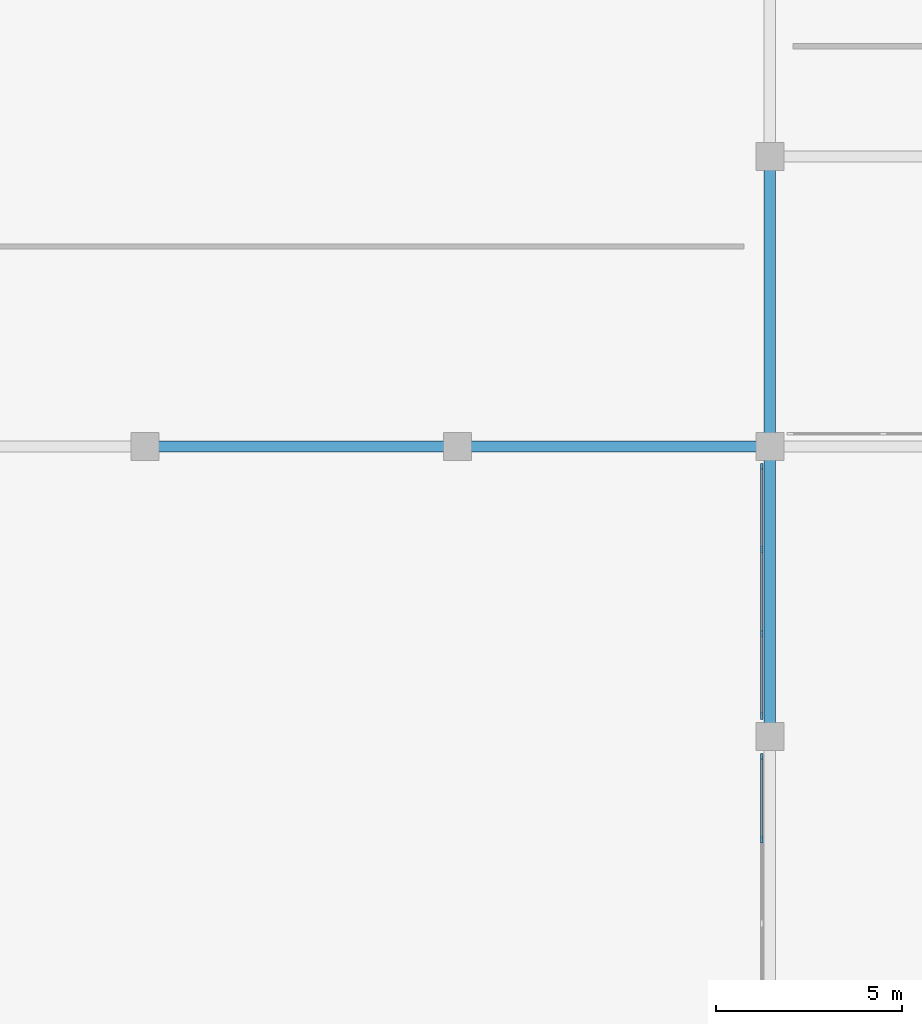
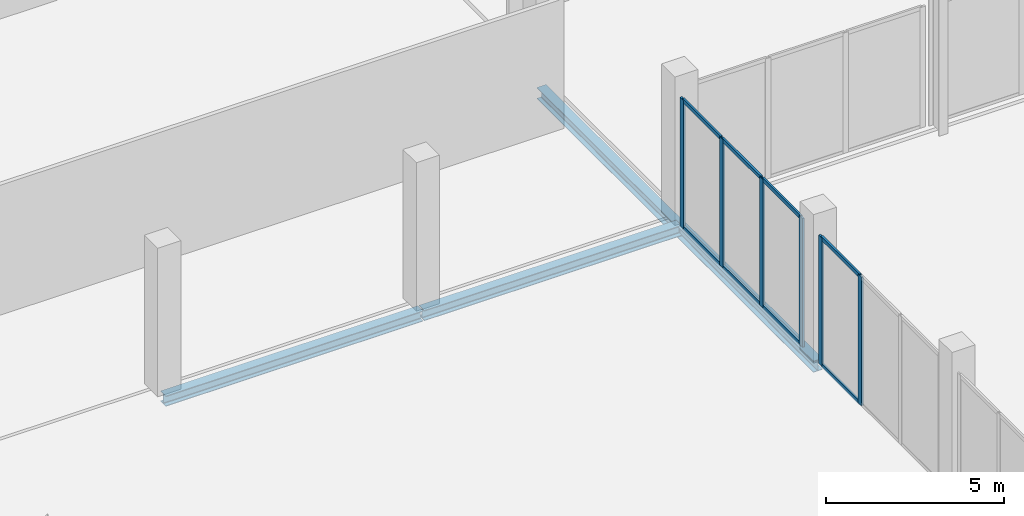
# One storey, part 29 of 80: 14 members, 4 beams, 2 elements without a shape of their own.
"""IFC4 building model written with IfcOpenShell, lengths in metres."""

from ifc_helpers import new_model, si_unit, direction, frame, origin, origin_2d, place, context, subcontext, project, spatial, rectangle, i_section, extrude, material, material_profile, profile_set, type_object, element, aggregate, save


model = new_model("IFC4")

# Units and contexts
model_context = context("Model", 3, precision=1e-05, world=origin(), true_north=direction((0.0, 1.0)))
body_context = subcontext(model_context, "Body", "Model", "MODEL_VIEW")
ifc_project = project(units=[si_unit("LENGTHUNIT", "METRE"), si_unit("AREAUNIT", "SQUARE_METRE"), si_unit("VOLUMEUNIT", "CUBIC_METRE"), si_unit("PLANEANGLEUNIT", "RADIAN"), si_unit("MASSUNIT", "GRAM", prefix="KILO")], contexts=[model_context])

# Site, building, storey
site_placement = place(None, origin())
site = spatial("IfcSite", under=ifc_project, at=site_placement, CompositionType="ELEMENT")
building_placement = place(site_placement, origin())
building = spatial("IfcBuilding", under=site, at=building_placement, Name="Nabrawat Pavilion Hospital", CompositionType="ELEMENT")
storey_placement = place(building_placement, origin())
storey = spatial("IfcBuildingStorey", under=building, at=storey_placement, Name="L00", CompositionType="ELEMENT", Elevation=0.0)

# Curtain wall, members
ifc_material_1 = material(Name="Anodised Aluminium", Category="aluminium")
curtain_wall_type = type_object("IfcCurtainWallType", Name="Healing Garden Cloister Curtain Wall", PredefinedType="USERDEFINED", material=ifc_material_1)
curtain_wall_1_placement = place(storey_placement, origin())
curtain_wall_1 = element("IfcCurtainWall", 1, at=curtain_wall_1_placement, inside=storey, type_object=curtain_wall_type, Name="L00 Healing Garden Cloister Curtain Wall 005", ObjectType="CURTAIN WALL", PredefinedType="USERDEFINED")
ifc_material_profile_1 = material_profile(ifc_material_1, rectangle(XDim=0.06494140625, YDim=0.179931640625, at=origin_2d()), Name="CWM 65x180")
ifc_profile_set_1 = profile_set([ifc_material_profile_1], Name="Anodised Aluminium")
member_type_1 = type_object("IfcMemberType", Name="Healing Garden Cloister Curtain Wall Mullion CWM 65x180", PredefinedType="MULLION", material=ifc_profile_set_1)
member_1_placement = place(storey_placement, frame((58.580078125, 75.228271484375, 0.0), z_axis=(0.0, 0.0, 1.0), x_axis=(-1.0, 0.0, 0.0)))
member_1 = element("IfcMember", 2, at=member_1_placement, type_object=member_type_1, Name="CW-CLN-01 mullion 3", PredefinedType="MULLION", context=body_context, shape_type="SweptSolid", body=[
    extrude(rectangle(XDim=0.06494140625, YDim=0.179931640625, at=origin_2d()), origin(), (0.0, 0.0, 1.0), 4.419921875),
])
member_2_placement = place(storey_placement, frame((58.580078125, 77.452392578125, 0.0), z_axis=(0.0, 0.0, 1.0), x_axis=(-1.0, 0.0, 0.0)))
member_2 = element("IfcMember", 3, at=member_2_placement, type_object=member_type_1, Name="CW-CLN-01 mullion 4", PredefinedType="MULLION", context=body_context, shape_type="SweptSolid", body=[
    extrude(rectangle(XDim=0.06494140625, YDim=0.179931640625, at=origin_2d()), origin(), (0.0, 0.0, 1.0), 4.419921875),
])

curtain_wall_2_placement = place(storey_placement, origin())
curtain_wall_2 = element("IfcCurtainWall", 4, at=curtain_wall_2_placement, inside=storey, type_object=curtain_wall_type, Name="L00 Healing Garden Cloister Curtain Wall 006", ObjectType="CURTAIN WALL", PredefinedType="USERDEFINED")
member_3_placement = place(storey_placement, frame((58.580078125, 78.547607421875, 0.0), z_axis=(0.0, 0.0, 1.0), x_axis=(-1.0, 0.0, 0.0)))
member_3 = element("IfcMember", 5, at=member_3_placement, type_object=member_type_1, Name="CW-CLN-01 mullion 1", PredefinedType="MULLION", context=body_context, shape_type="SweptSolid", body=[
    extrude(rectangle(XDim=0.06494140625, YDim=0.179931640625, at=origin_2d()), origin(), (0.0, 0.0, 1.0), 4.419921875),
])
member_4_placement = place(storey_placement, frame((58.580078125, 80.771728515625, 0.0), z_axis=(0.0, 0.0, 1.0), x_axis=(-1.0, 0.0, 0.0)))
member_4 = element("IfcMember", 6, at=member_4_placement, type_object=member_type_1, Name="CW-CLN-01 mullion 2", PredefinedType="MULLION", context=body_context, shape_type="SweptSolid", body=[
    extrude(rectangle(XDim=0.06494140625, YDim=0.179931640625, at=origin_2d()), origin(), (0.0, 0.0, 1.0), 4.419921875),
])
member_5_placement = place(storey_placement, frame((58.580078125, 83.0283203125, 0.0), z_axis=(0.0, 0.0, 1.0), x_axis=(-1.0, 0.0, 0.0)))
member_5 = element("IfcMember", 7, at=member_5_placement, type_object=member_type_1, Name="CW-CLN-01 mullion 3", PredefinedType="MULLION", context=body_context, shape_type="SweptSolid", body=[
    extrude(rectangle(XDim=0.06494140625, YDim=0.179931640625, at=origin_2d()), origin(), (0.0, 0.0, 1.0), 4.419921875),
])
member_6_placement = place(storey_placement, frame((58.580078125, 85.25244140625, 0.0), z_axis=(0.0, 0.0, 1.0), x_axis=(-1.0, 0.0, 0.0)))
member_6 = element("IfcMember", 8, at=member_6_placement, type_object=member_type_1, Name="CW-CLN-01 mullion 4", PredefinedType="MULLION", context=body_context, shape_type="SweptSolid", body=[
    extrude(rectangle(XDim=0.06494140625, YDim=0.179931640625, at=origin_2d()), origin(), (0.0, 0.0, 1.0), 4.419921875),
])

# Member
ifc_material_profile_2 = material_profile(ifc_material_1, rectangle(XDim=0.06494140625, YDim=0.135009765625, at=origin_2d()), Name="CWT 65x135")
ifc_profile_set_2 = profile_set([ifc_material_profile_2], Name="Anodised Aluminium")
member_type_2 = type_object("IfcMemberType", Name="Healing Garden Cloister Curtain Wall Transom CWT 65x135", PredefinedType="USERDEFINED", material=ifc_profile_set_2)
member_7_placement = place(storey_placement, frame((58.580078125, 75.2607421875, 0.032470703125), z_axis=(0.0, 1.0, 0.0), x_axis=(-1.0, 0.0, 0.0)))
member_7 = element("IfcMember", 9, at=member_7_placement, type_object=member_type_2, Name="CW-CLN-01 transom 3.1", ObjectType="TRANSOM", PredefinedType="USERDEFINED", context=body_context, shape_type="SweptSolid", body=[
    extrude(rectangle(XDim=0.06494140625, YDim=0.135009765625, at=origin_2d()), origin(), (0.0, 0.0, 1.0), 2.1591796875),
])

member_8_placement = place(storey_placement, frame((58.580078125, 75.2607421875, 4.387451171875), z_axis=(0.0, 1.0, 0.0), x_axis=(-1.0, 0.0, 0.0)))
member_8 = element("IfcMember", 10, at=member_8_placement, type_object=member_type_2, Name="CW-CLN-01 transom 3.2", ObjectType="TRANSOM", PredefinedType="USERDEFINED", context=body_context, shape_type="SweptSolid", body=[
    extrude(rectangle(XDim=0.06494140625, YDim=0.135009765625, at=origin_2d()), origin(), (0.0, 0.0, 1.0), 2.1591796875),
])

aggregate(curtain_wall_1, [member_1, member_2, member_7, member_8])

member_9_placement = place(storey_placement, frame((58.580078125, 78.580078125, 0.032470703125), z_axis=(0.0, 1.0, 0.0), x_axis=(-1.0, 0.0, 0.0)))
member_9 = element("IfcMember", 11, at=member_9_placement, type_object=member_type_2, Name="CW-CLN-01 transom 1.1", ObjectType="TRANSOM", PredefinedType="USERDEFINED", context=body_context, shape_type="SweptSolid", body=[
    extrude(rectangle(XDim=0.06494140625, YDim=0.135009765625, at=origin_2d()), origin(), (0.0, 0.0, 1.0), 2.1591796875),
])

member_10_placement = place(storey_placement, frame((58.580078125, 78.580078125, 4.387451171875), z_axis=(0.0, 1.0, 0.0), x_axis=(-1.0, 0.0, 0.0)))
member_10 = element("IfcMember", 12, at=member_10_placement, type_object=member_type_2, Name="CW-CLN-01 transom 1.2", ObjectType="TRANSOM", PredefinedType="USERDEFINED", context=body_context, shape_type="SweptSolid", body=[
    extrude(rectangle(XDim=0.06494140625, YDim=0.135009765625, at=origin_2d()), origin(), (0.0, 0.0, 1.0), 2.1591796875),
])

member_11_placement = place(storey_placement, frame((58.580078125, 80.80419921875, 0.032470703125), z_axis=(0.0, 1.0, 0.0), x_axis=(-1.0, 0.0, 0.0)))
member_11 = element("IfcMember", 13, at=member_11_placement, type_object=member_type_2, Name="CW-CLN-01 transom 2.1", ObjectType="TRANSOM", PredefinedType="USERDEFINED", context=body_context, shape_type="SweptSolid", body=[
    extrude(rectangle(XDim=0.06494140625, YDim=0.135009765625, at=origin_2d()), origin(), (0.0, 0.0, 1.0), 2.191650390625),
])

member_12_placement = place(storey_placement, frame((58.580078125, 80.80419921875, 4.387451171875), z_axis=(0.0, 1.0, 0.0), x_axis=(-1.0, 0.0, 0.0)))
member_12 = element("IfcMember", 14, at=member_12_placement, type_object=member_type_2, Name="CW-CLN-01 transom 2.2", ObjectType="TRANSOM", PredefinedType="USERDEFINED", context=body_context, shape_type="SweptSolid", body=[
    extrude(rectangle(XDim=0.06494140625, YDim=0.135009765625, at=origin_2d()), origin(), (0.0, 0.0, 1.0), 2.191650390625),
])

member_13_placement = place(storey_placement, frame((58.580078125, 83.060791015625, 0.032470703125), z_axis=(0.0, 1.0, 0.0), x_axis=(-1.0, 0.0, 0.0)))
member_13 = element("IfcMember", 15, at=member_13_placement, type_object=member_type_2, Name="CW-CLN-01 transom 3.1", ObjectType="TRANSOM", PredefinedType="USERDEFINED", context=body_context, shape_type="SweptSolid", body=[
    extrude(rectangle(XDim=0.06494140625, YDim=0.135009765625, at=origin_2d()), origin(), (0.0, 0.0, 1.0), 2.1591796875),
])

member_14_placement = place(storey_placement, frame((58.580078125, 83.060791015625, 4.387451171875), z_axis=(0.0, 1.0, 0.0), x_axis=(-1.0, 0.0, 0.0)))
member_14 = element("IfcMember", 16, at=member_14_placement, type_object=member_type_2, Name="CW-CLN-01 transom 3.2", ObjectType="TRANSOM", PredefinedType="USERDEFINED", context=body_context, shape_type="SweptSolid", body=[
    extrude(rectangle(XDim=0.06494140625, YDim=0.135009765625, at=origin_2d()), origin(), (0.0, 0.0, 1.0), 2.1591796875),
])

aggregate(curtain_wall_2, [member_3, member_4, member_5, member_6, member_9, member_10, member_11, member_12, member_13, member_14])

# Beams
ifc_material_2 = material(Name="Steel S355", Category="steel")
ifc_material_profile_3 = material_profile(ifc_material_2, i_section(OverallWidth=0.300048828125, OverallDepth=0.389892578125, WebThickness=0.010986328125, FlangeThickness=0.01904296875, FilletRadius=0.027099609375, at=origin_2d()), Name="HEA 400")
ifc_profile_set_3 = profile_set([ifc_material_profile_3], Name="Steel S355")
beam_type_1 = type_object("IfcBeamType", Name="Perimeter Moment Spandrel Beam HEA 400", PredefinedType="SPANDREL", material=ifc_profile_set_3)
for number, where, z_axis, x_axis, name in (
    (17, (58.800048828125, 78.02001953125, -0.445068359375), (0.0, 1.0, 0.0), (-1.0, 0.0, 0.0), "L00 Primary Y Beam 294"),
    (18, (58.800048828125, 85.820068359375, -0.47509765625), (0.0, 1.0, 0.0), (-1.0, 0.0, 0.0), "L00 Primary Y Beam 295"),
):
    element("IfcBeam", number, at=place(storey_placement, frame(where, z_axis=z_axis, x_axis=x_axis)), inside=storey, type_object=beam_type_1, Name=name, PredefinedType="SPANDREL", context=body_context, shape_type="SweptSolid", body=[
        extrude(i_section(OverallWidth=0.300048828125, OverallDepth=0.389892578125, WebThickness=0.010986328125, FlangeThickness=0.01904296875, FilletRadius=0.027099609375, at=origin_2d()), origin(), (0.0, 0.0, 1.0), 7.760009765625),
    ])
ifc_material_profile_4 = material_profile(ifc_material_2, i_section(OverallWidth=0.300048828125, OverallDepth=0.360107421875, WebThickness=0.012451171875, FlangeThickness=0.0224609375, FilletRadius=0.027099609375, at=origin_2d()), Name="HEB 360")
ifc_profile_set_4 = profile_set([ifc_material_profile_4], Name="Steel S355")
beam_type_2 = type_object("IfcBeamType", Name="Surgical Perimeter Spandrel HEB 360", PredefinedType="SPANDREL", material=ifc_profile_set_4)
beam_1_placement = place(storey_placement, frame((42.02001953125, 85.800048828125, -0.429931640625), z_axis=(1.0, 0.0, 0.0), x_axis=(0.0, 1.0, 0.0)))
element("IfcBeam", 19, at=beam_1_placement, inside=storey, type_object=beam_type_2, Name="L00 Primary X Girder 146", PredefinedType="SPANDREL", context=body_context, shape_type="SweptSolid", body=[
    extrude(i_section(OverallWidth=0.300048828125, OverallDepth=0.360107421875, WebThickness=0.012451171875, FlangeThickness=0.0224609375, FilletRadius=0.027099609375, at=origin_2d()), origin(), (0.0, 0.0, 1.0), 8.35986328125),
])
beam_2_placement = place(storey_placement, frame((50.419921875, 85.800048828125, -0.429931640625), z_axis=(1.0, 0.0, 0.0), x_axis=(0.0, 1.0, 0.0)))
element("IfcBeam", 20, at=beam_2_placement, inside=storey, type_object=beam_type_2, Name="L00 Primary X Girder 147", PredefinedType="SPANDREL", context=body_context, shape_type="SweptSolid", body=[
    extrude(i_section(OverallWidth=0.300048828125, OverallDepth=0.360107421875, WebThickness=0.012451171875, FlangeThickness=0.0224609375, FilletRadius=0.027099609375, at=origin_2d()), origin(), (0.0, 0.0, 1.0), 8.360107421875),
])

save(model, "model.ifc")
